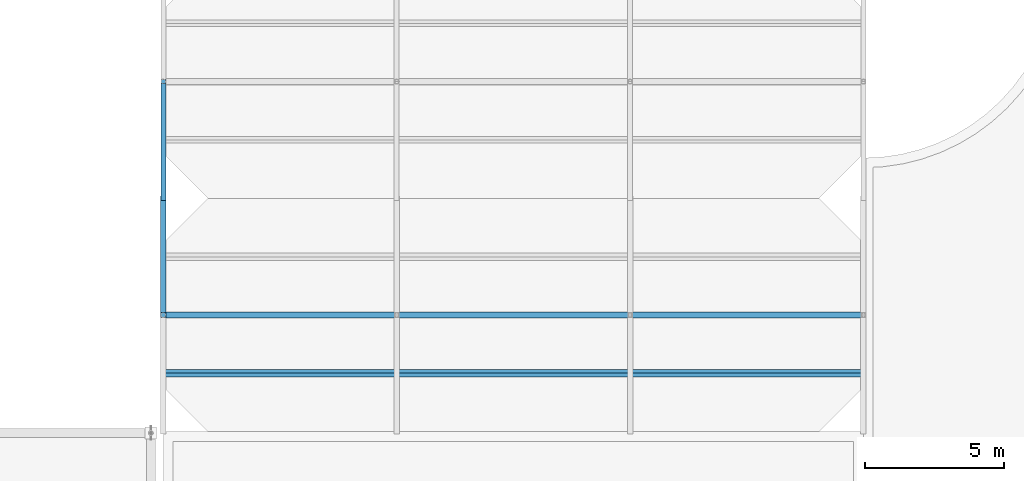
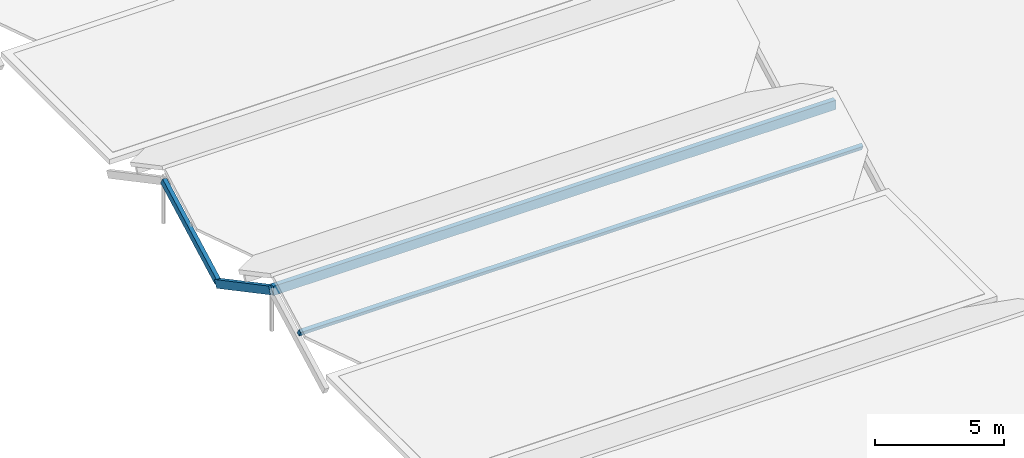
# One storey, part 39 of 82: 3 members, 1 beam.
"""IFC4 building model written with IfcOpenShell, lengths in metres."""

from ifc_helpers import new_model, si_unit, direction, frame, origin, origin_2d, place, context, subcontext, project, spatial, rectangle, extrude, material, material_profile, profile_set, type_object, element, save


model = new_model("IFC4")

# Units and contexts
model_context = context("Model", 3, precision=1e-05, world=origin(), true_north=direction((0.0, 1.0)))
body_context = subcontext(model_context, "Body", "Model", "MODEL_VIEW")
ifc_project = project(units=[si_unit("LENGTHUNIT", "METRE"), si_unit("AREAUNIT", "SQUARE_METRE"), si_unit("VOLUMEUNIT", "CUBIC_METRE"), si_unit("PLANEANGLEUNIT", "RADIAN"), si_unit("MASSUNIT", "GRAM", prefix="KILO")], contexts=[model_context])

# Site, building, storey
site_placement = place(None, origin())
site = spatial("IfcSite", under=ifc_project, at=site_placement, CompositionType="ELEMENT")
building_placement = place(site_placement, origin())
building = spatial("IfcBuilding", under=site, at=building_placement, Name="Bramfleet General Hospital", CompositionType="ELEMENT")
storey_placement = place(building_placement, frame((0.0, 0.0, 34.199951171875)))
storey = spatial("IfcBuildingStorey", under=building, at=storey_placement, Name="Roof", CompositionType="ELEMENT", Elevation=34.199951171875)

# Beam
ifc_material = material(Name="Structural timber GL28h", Category="wood")
ifc_material_profile_1 = material_profile(ifc_material, rectangle(XDim=0.219970703125, YDim=0.43994140625, at=origin_2d()), Name="GL28h 440x220")
ifc_profile_set_1 = profile_set([ifc_material_profile_1], Name="Structural timber GL28h")
beam_type = type_object("IfcBeamType", Name="BM-GL440", PredefinedType="BEAM", material=ifc_profile_set_1)
beam_placement = place(storey_placement, frame((92.39990234375, 54.60009765625, 1.476806640625), z_axis=(1.0, 0.0, 0.0), x_axis=(0.0, 1.0, 0.0)))
element("IfcBeam", 1, at=beam_placement, inside=storey, type_object=beam_type, Name="Patient House PH-11 Glulam Ridge Beam", PredefinedType="BEAM", context=body_context, shape_type="SweptSolid", body=[
    extrude(rectangle(XDim=0.219970703125, YDim=0.43994140625, at=origin_2d()), origin(), (0.0, 0.0, 1.0), 25.2001953125),
])

# Members
ifc_material_profile_2 = material_profile(ifc_material, rectangle(XDim=0.159912109375, YDim=0.280029296875, at=origin_2d()), Name="GL28h 280x160")
ifc_profile_set_2 = profile_set([ifc_material_profile_2], Name="Structural timber GL28h")
member_type_1 = type_object("IfcMemberType", Name="MEM-PR-GL280", PredefinedType="PURLIN", material=ifc_profile_set_2)
member_1_placement = place(storey_placement, frame((92.39990234375, 52.5, 0.71533203125), z_axis=(1.0, 0.0, 0.0), x_axis=(0.0, 0.882947592859, 0.469471562786)))
element("IfcMember", 2, at=member_1_placement, inside=storey, type_object=member_type_1, Name="Patient House PH-11 South Glulam Purlin", PredefinedType="PURLIN", context=body_context, shape_type="SweptSolid", body=[
    extrude(rectangle(XDim=0.159912109375, YDim=0.280029296875, at=origin_2d()), origin(), (0.0, 0.0, 1.0), 25.2001953125),
])
ifc_material_profile_3 = material_profile(ifc_material, rectangle(XDim=0.179931640625, YDim=0.320068359375, at=origin_2d()), Name="GL28h 320x180")
ifc_profile_set_3 = profile_set([ifc_material_profile_3], Name="Structural timber GL28h")
member_type_2 = type_object("IfcMemberType", Name="MEM-RF-GL320", PredefinedType="RAFTER", material=ifc_profile_set_3)
member_2_placement = place(storey_placement, frame((92.39990234375, 58.800048828125, -0.671875), z_axis=(0.0, 0.882947536541, 0.469471668705), x_axis=(-1.0, 0.0, 0.0)))
element("IfcMember", 3, at=member_2_placement, inside=storey, type_object=member_type_2, Name="Patient House PH-12 South Glulam Rafter 0", PredefinedType="RAFTER", context=body_context, shape_type="SweptSolid", body=[
    extrude(rectangle(XDim=0.179931640625, YDim=0.320068359375, at=origin_2d()), origin(), (0.0, 0.0, 1.0), 4.7568359375),
])
ifc_material_profile_4 = material_profile(ifc_material, rectangle(XDim=0.199951171875, YDim=0.360107421875, at=origin_2d()), Name="GL28h 360x200")
ifc_profile_set_4 = profile_set([ifc_material_profile_4], Name="Structural timber GL28h")
member_type_3 = type_object("IfcMemberType", Name="MEM-RF-GL360", PredefinedType="RAFTER", material=ifc_profile_set_4)
member_3_placement = place(storey_placement, frame((92.39990234375, 54.60009765625, 1.476806640625), z_axis=(0.0, 0.882947536541, -0.469471668705), x_axis=(-1.0, 0.0, 0.0)))
element("IfcMember", 4, at=member_3_placement, inside=storey, type_object=member_type_3, Name="Patient House PH-11 North Glulam Rafter 0", PredefinedType="RAFTER", context=body_context, shape_type="SweptSolid", body=[
    extrude(rectangle(XDim=0.199951171875, YDim=0.360107421875, at=origin_2d()), origin(), (0.0, 0.0, 1.0), 4.7568359375),
])

save(model, "model.ifc")
